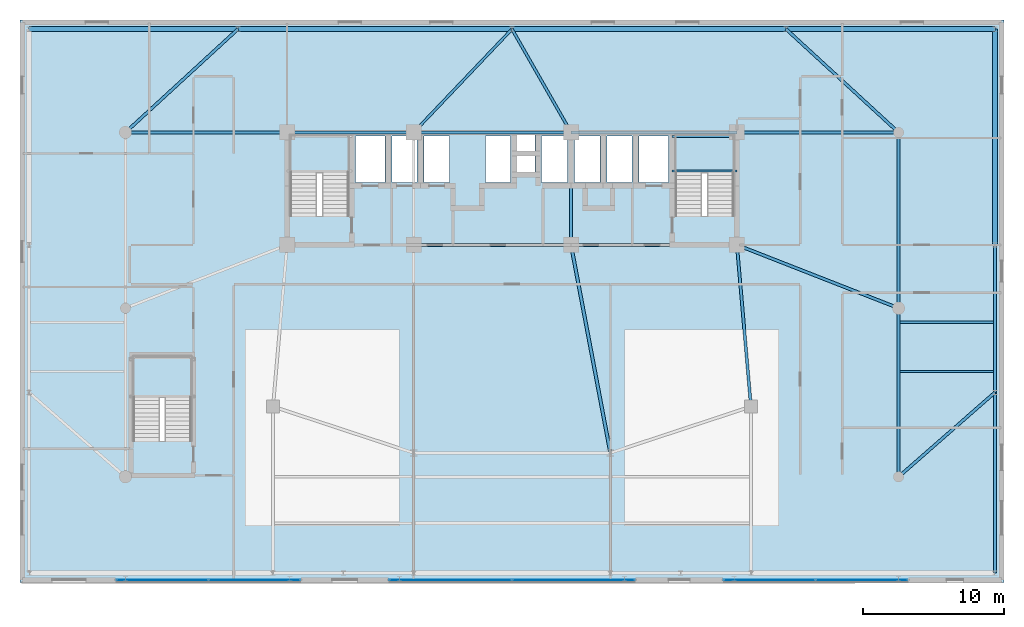
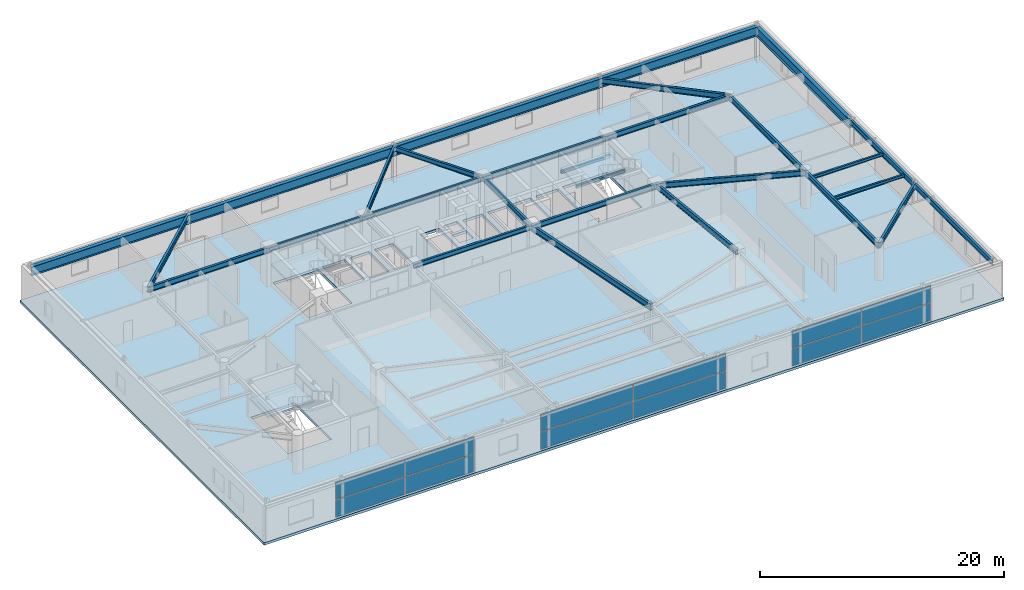
# One storey, part 19 of 26: 29 beams, 12 plates, 4 slabs, 9 elements without a shape of their own.
"""IFC4 building model written with IfcOpenShell, lengths in metres."""

from ifc_helpers import new_model, si_unit, direction, frame, origin, origin_2d, place, context, subcontext, project, spatial, polyline, rectangle, hollow_rectangle, i_section, outline, extrude, source, transform, mapped, material, layer, layer_set, material_profile, profile_set, type_object, element, aggregate, save


model = new_model("IFC4")

# Units and contexts
model_context = context("Model", 3, precision=1e-05, world=origin(), true_north=direction((0.0, 1.0)))
body_context = subcontext(model_context, "Body", "Model", "MODEL_VIEW")
ifc_project = project(units=[si_unit("LENGTHUNIT", "METRE"), si_unit("AREAUNIT", "SQUARE_METRE"), si_unit("VOLUMEUNIT", "CUBIC_METRE"), si_unit("PLANEANGLEUNIT", "RADIAN"), si_unit("MASSUNIT", "GRAM", prefix="KILO")], contexts=[model_context])

# Site, building, storey
site_placement = place(None, origin())
site = spatial("IfcSite", under=ifc_project, at=site_placement, CompositionType="ELEMENT")
building_placement = place(site_placement, origin())
building = spatial("IfcBuilding", under=site, at=building_placement, Name="Taldren Reach Tower", CompositionType="ELEMENT")
storey_placement = place(building_placement, frame((0.0, 0.0, 4.550048828125)))
storey = spatial("IfcBuildingStorey", under=building, at=storey_placement, Name="L01", CompositionType="ELEMENT", Elevation=4.550048828125)

# Beams
ifc_material_1 = material(Name="Steel Gr 350 (350PLUS)", Category="steel")
ifc_material_profile_1 = material_profile(ifc_material_1, i_section(OverallWidth=0.19091796875, OverallDepth=0.4599609375, WebThickness=0.010009765625, FlangeThickness=0.01611328125, at=origin_2d()), Name="460UB82.1")
ifc_profile_set_1 = profile_set([ifc_material_profile_1], Name="Steel Gr 350 (350PLUS)")
beam_type_1 = type_object("IfcBeamType", Name="BM-UB460A", PredefinedType="BEAM", material=ifc_profile_set_1)
shared_shape_1 = source(origin(), body_context, "Body", "SweptSolid", [
    extrude(i_section(OverallWidth=0.19091796875, OverallDepth=0.4599609375, WebThickness=0.010009765625, FlangeThickness=0.01611328125, at=origin_2d()), origin(), (0.0, 0.0, 1.0), 9.0),
])
beam_1_placement = place(storey_placement, frame((19.0, 32.0, 3.35986328125), z_axis=(1.0, 0.0, 0.0), x_axis=(0.0, 1.0, 0.0)))
element("IfcBeam", 1, at=beam_1_placement, inside=storey, type_object=beam_type_1, Name="Core-spine girder L01-SP04", PredefinedType="BEAM", context=body_context, shape_type="MappedRepresentation", body=[
    mapped(shared_shape_1, transform((0.0, 0.0, 0.0), scale=1.0)),
])
shared_shape_2 = source(origin(), body_context, "Body", "SweptSolid", [
    extrude(i_section(OverallWidth=0.19091796875, OverallDepth=0.4599609375, WebThickness=0.010009765625, FlangeThickness=0.01611328125, at=origin_2d()), origin(), (0.0, 0.0, 1.0), 11.199951171875),
])
for number, where, z_axis, x_axis, name in (
    (2, (28.0, 24.0, 3.35986328125), (1.0, 0.0, 0.0), (0.0, 1.0, 0.0), "Core-spine girder L01-SP02"),
    (3, (28.0, 32.0, 3.35986328125), (1.0, 0.0, 0.0), (0.0, 1.0, 0.0), "Core-spine girder L01-SP05"),
):
    element("IfcBeam", number, at=place(storey_placement, frame(where, z_axis=z_axis, x_axis=x_axis)), inside=storey, type_object=beam_type_1, Name=name, PredefinedType="BEAM", context=body_context, shape_type="MappedRepresentation", body=[
        mapped(shared_shape_2, transform((0.0, 0.0, 0.0), scale=1.0)),
    ])
ifc_material_profile_2 = material_profile(ifc_material_1, i_section(OverallWidth=0.208984375, OverallDepth=0.532958984375, WebThickness=0.01025390625, FlangeThickness=0.015625, at=origin_2d()), Name="530UB92.4")
ifc_profile_set_2 = profile_set([ifc_material_profile_2], Name="Steel Gr 350 (350PLUS)")
beam_type_2 = type_object("IfcBeamType", Name="BM-UB530A", PredefinedType="BEAM", material=ifc_profile_set_2)
shared_shape_3 = source(origin(), body_context, "Body", "SweptSolid", [
    extrude(i_section(OverallWidth=0.208984375, OverallDepth=0.532958984375, WebThickness=0.01025390625, FlangeThickness=0.015625, at=origin_2d()), origin(), (0.0, 0.0, 1.0), 11.800048828125),
])
for number, where, z_axis, x_axis, name in (
    (4, (39.199951171875, 24.0, 3.323486328125), (1.0, 0.0, 0.0), (0.0, 1.0, 0.0), "Core-spine girder L01-SP03"),
    (5, (39.199951171875, 32.0, 3.323486328125), (1.0, 0.0, 0.0), (0.0, 1.0, 0.0), "Core-spine girder L01-SP06"),
):
    element("IfcBeam", number, at=place(storey_placement, frame(where, z_axis=z_axis, x_axis=x_axis)), inside=storey, type_object=beam_type_2, Name=name, PredefinedType="BEAM", context=body_context, shape_type="MappedRepresentation", body=[
        mapped(shared_shape_3, transform((0.0, 0.0, 0.0), scale=1.0)),
    ])
shared_shape_4 = source(origin(), body_context, "Body", "SweptSolid", [
    extrude(i_section(OverallWidth=0.19091796875, OverallDepth=0.4599609375, WebThickness=0.010009765625, FlangeThickness=0.01611328125, at=origin_2d()), origin(), (0.0, 0.0, 1.0), 8.0),
])
beam_2_placement = place(storey_placement, frame((39.199951171875, 24.0, 3.35986328125), z_axis=(0.0, 1.0, 0.0), x_axis=(-1.0, 0.0, 0.0)))
element("IfcBeam", 6, at=beam_2_placement, inside=storey, type_object=beam_type_1, Name="Core-spine girder L01-SP08", PredefinedType="BEAM", context=body_context, shape_type="MappedRepresentation", body=[
    mapped(shared_shape_4, transform((0.0, 0.0, 0.0), scale=1.0)),
])
shared_shape_5 = source(origin(), body_context, "Body", "SweptSolid", [
    extrude(i_section(OverallWidth=0.208984375, OverallDepth=0.532958984375, WebThickness=0.01025390625, FlangeThickness=0.015625, at=origin_2d()), origin(), (0.0, 0.0, 1.0), 11.54345703125),
])
beam_3_placement = place(storey_placement, frame((52.0, 12.5, 3.323486328125), z_axis=(-0.086629616365, 0.996240588196, 0.0), x_axis=(-0.996240588196, -0.086629616365, 0.0)))
element("IfcBeam", 7, at=beam_3_placement, inside=storey, type_object=beam_type_2, Name="Core-spine girder L01-SP13", PredefinedType="BEAM", context=body_context, shape_type="MappedRepresentation", body=[
    mapped(shared_shape_5, transform((0.0, 0.0, 0.0), scale=1.0)),
])
ifc_material_profile_3 = material_profile(ifc_material_1, i_section(OverallWidth=0.22802734375, OverallDepth=0.60205078125, WebThickness=0.010498046875, FlangeThickness=0.014892578125, at=origin_2d()), Name="610UB101")
ifc_profile_set_3 = profile_set([ifc_material_profile_3], Name="Steel Gr 350 (350PLUS)")
beam_type_3 = type_object("IfcBeamType", Name="BM-UB610B", PredefinedType="BEAM", material=ifc_profile_set_3)
shared_shape_6 = source(origin(), body_context, "Body", "SweptSolid", [
    extrude(i_section(OverallWidth=0.22802734375, OverallDepth=0.60205078125, WebThickness=0.010498046875, FlangeThickness=0.014892578125, at=origin_2d()), origin(), (0.0, 0.0, 1.0), 15.0625),
])
beam_4_placement = place(storey_placement, frame((39.199951171875, 24.0, 3.2890625), z_axis=(0.185894205668, -0.982569765614, 0.0), x_axis=(0.982569765614, 0.185894205668, 0.0)))
element("IfcBeam", 8, at=beam_4_placement, inside=storey, type_object=beam_type_3, Name="Core-spine girder L01-SP15", PredefinedType="BEAM", context=body_context, shape_type="MappedRepresentation", body=[
    mapped(shared_shape_6, transform((0.0, 0.0, 0.0), scale=1.0)),
])
ifc_material_profile_4 = material_profile(ifc_material_1, i_section(OverallWidth=0.35009765625, OverallDepth=0.916015625, WebThickness=0.013916015625, FlangeThickness=0.028076171875, at=origin_2d()), Name="900WB257")
ifc_profile_set_4 = profile_set([ifc_material_profile_4], Name="Steel Gr 350 (350PLUS)")
beam_type_4 = type_object("IfcBeamType", Name="BM-WB900", PredefinedType="BEAM", material=ifc_profile_set_4)
shared_shape_7 = source(origin(), body_context, "Body", "SweptSolid", [
    extrude(i_section(OverallWidth=0.35009765625, OverallDepth=0.916015625, WebThickness=0.013916015625, FlangeThickness=0.028076171875, at=origin_2d()), origin(), (0.0, 0.0, 1.0), 14.85009765625),
])
for number, where, z_axis, x_axis, name in (
    (9, (0.64990234375, 39.35009765625, 3.1318359375), (1.0, 0.0, 0.0), (0.0, 1.0, 0.0), "Podium girder L01-PD08"),
    (10, (54.5, 39.35009765625, 3.1318359375), (1.0, 0.0, 0.0), (0.0, 1.0, 0.0), "Podium girder L01-PD11"),
):
    element("IfcBeam", number, at=place(storey_placement, frame(where, z_axis=z_axis, x_axis=x_axis)), inside=storey, type_object=beam_type_4, Name=name, PredefinedType="BEAM", context=body_context, shape_type="MappedRepresentation", body=[
        mapped(shared_shape_7, transform((0.0, 0.0, 0.0), scale=1.0)),
    ])
shared_shape_8 = source(origin(), body_context, "Body", "SweptSolid", [
    extrude(i_section(OverallWidth=0.35009765625, OverallDepth=0.916015625, WebThickness=0.013916015625, FlangeThickness=0.028076171875, at=origin_2d()), origin(), (0.0, 0.0, 1.0), 19.5),
])
for number, where, z_axis, x_axis, name in (
    (11, (15.5, 39.35009765625, 3.1318359375), (1.0, 0.0, 0.0), (0.0, 1.0, 0.0), "Podium girder L01-PD09"),
    (12, (35.0, 39.35009765625, 3.1318359375), (1.0, 0.0, 0.0), (0.0, 1.0, 0.0), "Podium girder L01-PD10"),
):
    element("IfcBeam", number, at=place(storey_placement, frame(where, z_axis=z_axis, x_axis=x_axis)), inside=storey, type_object=beam_type_4, Name=name, PredefinedType="BEAM", context=body_context, shape_type="MappedRepresentation", body=[
        mapped(shared_shape_8, transform((0.0, 0.0, 0.0), scale=1.0)),
    ])
ifc_material_profile_5 = material_profile(ifc_material_1, i_section(OverallWidth=0.208984375, OverallDepth=0.528076171875, WebThickness=0.009521484375, FlangeThickness=0.01318359375, at=origin_2d()), Name="530UB82.0")
ifc_profile_set_5 = profile_set([ifc_material_profile_5], Name="Steel Gr 350 (350PLUS)")
beam_type_5 = type_object("IfcBeamType", Name="SP-UB530B", PredefinedType="SPANDREL", material=ifc_profile_set_5)
shared_shape_9 = source(origin(), body_context, "Body", "SweptSolid", [
    extrude(i_section(OverallWidth=0.208984375, OverallDepth=0.528076171875, WebThickness=0.009521484375, FlangeThickness=0.01318359375, at=origin_2d()), origin(), (0.0, 0.0, 1.0), 12.85009765625),
])
beam_5_placement = place(storey_placement, frame((69.35009765625, 0.64990234375, 3.325927734375), z_axis=(0.0, 1.0, 0.0), x_axis=(-1.0, 0.0, 0.0)))
element("IfcBeam", 13, at=beam_5_placement, inside=storey, type_object=beam_type_5, Name="Podium beam L01-PD15", PredefinedType="SPANDREL", context=body_context, shape_type="MappedRepresentation", body=[
    mapped(shared_shape_9, transform((0.0, 0.0, 0.0), scale=1.0)),
])
shared_shape_10 = source(origin(), body_context, "Body", "SweptSolid", [
    extrude(i_section(OverallWidth=0.208984375, OverallDepth=0.528076171875, WebThickness=0.009521484375, FlangeThickness=0.01318359375, at=origin_2d()), origin(), (0.0, 0.0, 1.0), 10.5),
])
beam_6_placement = place(storey_placement, frame((69.35009765625, 13.5, 3.325927734375), z_axis=(0.0, 1.0, 0.0), x_axis=(-1.0, 0.0, 0.0)))
element("IfcBeam", 14, at=beam_6_placement, inside=storey, type_object=beam_type_5, Name="Podium beam L01-PD16", PredefinedType="SPANDREL", context=body_context, shape_type="MappedRepresentation", body=[
    mapped(shared_shape_10, transform((0.0, 0.0, 0.0), scale=1.0)),
])
shared_shape_11 = source(origin(), body_context, "Body", "SweptSolid", [
    extrude(i_section(OverallWidth=0.35009765625, OverallDepth=0.916015625, WebThickness=0.013916015625, FlangeThickness=0.028076171875, at=origin_2d()), origin(), (0.0, 0.0, 1.0), 15.35009765625),
])
beam_7_placement = place(storey_placement, frame((69.35009765625, 24.0, 3.1318359375), z_axis=(0.0, 1.0, 0.0), x_axis=(-1.0, 0.0, 0.0)))
element("IfcBeam", 15, at=beam_7_placement, inside=storey, type_object=beam_type_4, Name="Podium girder L01-PD17", PredefinedType="BEAM", context=body_context, shape_type="MappedRepresentation", body=[
    mapped(shared_shape_11, transform((0.0, 0.0, 0.0), scale=1.0)),
])
shared_shape_12 = source(origin(), body_context, "Body", "SweptSolid", [
    extrude(i_section(OverallWidth=0.208984375, OverallDepth=0.532958984375, WebThickness=0.01025390625, FlangeThickness=0.015625, at=origin_2d()), origin(), (0.0, 0.0, 1.0), 9.106201171875),
])
beam_8_placement = place(storey_placement, frame((69.35009765625, 13.5, 3.323486328125), z_axis=(-0.75224111342, -0.658887932262, 0.0), x_axis=(0.658887932262, -0.75224111342, 0.0)))
element("IfcBeam", 16, at=beam_8_placement, inside=storey, type_object=beam_type_2, Name="Podium beam L01-PD26", PredefinedType="BEAM", context=body_context, shape_type="MappedRepresentation", body=[
    mapped(shared_shape_12, transform((0.0, 0.0, 0.0), scale=1.0)),
])
shared_shape_13 = source(origin(), body_context, "Body", "SweptSolid", [
    extrude(i_section(OverallWidth=0.208984375, OverallDepth=0.532958984375, WebThickness=0.01025390625, FlangeThickness=0.015625, at=origin_2d()), origin(), (0.0, 0.0, 1.0), 12.0),
])
beam_9_placement = place(storey_placement, frame((62.5, 7.5, 3.323486328125), z_axis=(0.0, 1.0, 0.0), x_axis=(-1.0, 0.0, 0.0)))
element("IfcBeam", 17, at=beam_9_placement, inside=storey, type_object=beam_type_2, Name="Podium beam L01-PD27", PredefinedType="BEAM", context=body_context, shape_type="MappedRepresentation", body=[
    mapped(shared_shape_13, transform((0.0, 0.0, 0.0), scale=1.0)),
])
shared_shape_14 = source(origin(), body_context, "Body", "SweptSolid", [
    extrude(i_section(OverallWidth=0.208984375, OverallDepth=0.532958984375, WebThickness=0.01025390625, FlangeThickness=0.015625, at=origin_2d()), origin(), (0.0, 0.0, 1.0), 12.5),
])
beam_10_placement = place(storey_placement, frame((62.5, 19.5, 3.323486328125), z_axis=(0.0, 1.0, 0.0), x_axis=(-1.0, 0.0, 0.0)))
element("IfcBeam", 18, at=beam_10_placement, inside=storey, type_object=beam_type_2, Name="Podium beam L01-PD28", PredefinedType="BEAM", context=body_context, shape_type="MappedRepresentation", body=[
    mapped(shared_shape_14, transform((0.0, 0.0, 0.0), scale=1.0)),
])
shared_shape_15 = source(origin(), body_context, "Body", "SweptSolid", [
    extrude(i_section(OverallWidth=0.208984375, OverallDepth=0.532958984375, WebThickness=0.01025390625, FlangeThickness=0.015625, at=origin_2d()), origin(), (0.0, 0.0, 1.0), 10.86376953125),
])
for number, where, z_axis, x_axis, name in (
    (19, (7.5, 32.0, 3.323486328125), (0.736385012576, 0.676562719379, 0.0), (-0.676562719379, 0.736385012576, 0.0), "Podium beam L01-PD21"),
    (20, (62.5, 32.0, 3.323486328125), (-0.736385012576, 0.676562719379, 0.0), (-0.676562719379, -0.736385012576, 0.0), "Podium beam L01-PD29"),
):
    element("IfcBeam", number, at=place(storey_placement, frame(where, z_axis=z_axis, x_axis=x_axis)), inside=storey, type_object=beam_type_2, Name=name, PredefinedType="BEAM", context=body_context, shape_type="MappedRepresentation", body=[
        mapped(shared_shape_15, transform((0.0, 0.0, 0.0), scale=1.0)),
    ])
shared_shape_16 = source(origin(), body_context, "Body", "SweptSolid", [
    extrude(i_section(OverallWidth=0.208984375, OverallDepth=0.532958984375, WebThickness=0.01025390625, FlangeThickness=0.015625, at=origin_2d()), origin(), (0.0, 0.0, 1.0), 12.34912109375),
])
beam_11_placement = place(storey_placement, frame((51.0, 24.0, 3.323486328125), z_axis=(0.931242779706, -0.364399348581, 0.0), x_axis=(0.364399348581, 0.931242779706, 0.0)))
element("IfcBeam", 21, at=beam_11_placement, inside=storey, type_object=beam_type_2, Name="Podium beam L01-PD32", PredefinedType="BEAM", context=body_context, shape_type="MappedRepresentation", body=[
    mapped(shared_shape_16, transform((0.0, 0.0, 0.0), scale=1.0)),
])
shared_shape_17 = source(origin(), body_context, "Body", "SweptSolid", [
    extrude(i_section(OverallWidth=0.208984375, OverallDepth=0.532958984375, WebThickness=0.01025390625, FlangeThickness=0.015625, at=origin_2d()), origin(), (0.0, 0.0, 1.0), 11.5),
])
for number, where, z_axis, x_axis, name in (
    (22, (7.5, 32.0, 3.323486328125), (1.0, 0.0, 0.0), (0.0, 1.0, 0.0), "Podium beam L01-PD31"),
    (23, (51.0, 32.0, 3.323486328125), (1.0, 0.0, 0.0), (0.0, 1.0, 0.0), "Podium beam L01-PD33"),
):
    element("IfcBeam", number, at=place(storey_placement, frame(where, z_axis=z_axis, x_axis=x_axis)), inside=storey, type_object=beam_type_2, Name=name, PredefinedType="BEAM", context=body_context, shape_type="MappedRepresentation", body=[
        mapped(shared_shape_17, transform((0.0, 0.0, 0.0), scale=1.0)),
    ])
shared_shape_18 = source(origin(), body_context, "Body", "SweptSolid", [
    extrude(i_section(OverallWidth=0.19091796875, OverallDepth=0.4599609375, WebThickness=0.010009765625, FlangeThickness=0.01611328125, at=origin_2d()), origin(), (0.0, 0.0, 1.0), 10.150146484375),
])
beam_12_placement = place(storey_placement, frame((28.0, 32.0, 3.35986328125), z_axis=(0.6896503675, 0.724142507113, 0.0), x_axis=(-0.724142507113, 0.6896503675, 0.0)))
element("IfcBeam", 24, at=beam_12_placement, inside=storey, type_object=beam_type_1, Name="Podium beam L01-PD34", PredefinedType="BEAM", context=body_context, shape_type="MappedRepresentation", body=[
    mapped(shared_shape_18, transform((0.0, 0.0, 0.0), scale=1.0)),
])
shared_shape_19 = source(origin(), body_context, "Body", "SweptSolid", [
    extrude(i_section(OverallWidth=0.19091796875, OverallDepth=0.4599609375, WebThickness=0.010009765625, FlangeThickness=0.01611328125, at=origin_2d()), origin(), (0.0, 0.0, 1.0), 8.46533203125),
])
beam_13_placement = place(storey_placement, frame((39.199951171875, 32.0, 3.35986328125), z_axis=(-0.496129620882, 0.86824846633, 0.0), x_axis=(-0.86824846633, -0.496129620882, 0.0)))
element("IfcBeam", 25, at=beam_13_placement, inside=storey, type_object=beam_type_1, Name="Podium beam L01-PD35", PredefinedType="BEAM", context=body_context, shape_type="MappedRepresentation", body=[
    mapped(shared_shape_19, transform((0.0, 0.0, 0.0), scale=1.0)),
])
ifc_material_2 = material(Name="Steel Gr 300 (300PLUS, 300 MPa)", Category="steel")
ifc_material_profile_6 = material_profile(ifc_material_2, i_section(OverallWidth=0.166015625, OverallDepth=0.306884765625, WebThickness=0.006591796875, FlangeThickness=0.01171875, at=origin_2d()), Name="310UB46.2")
ifc_profile_set_6 = profile_set([ifc_material_profile_6], Name="Steel Gr 300 (300PLUS, 300 MPa)")
beam_type_6 = type_object("IfcBeamType", Name="JS-UB310", PredefinedType="JOIST", material=ifc_profile_set_6)
shared_shape_20 = source(origin(), body_context, "Body", "SweptSolid", [
    extrude(i_section(OverallWidth=0.166015625, OverallDepth=0.306884765625, WebThickness=0.006591796875, FlangeThickness=0.01171875, at=origin_2d()), origin(), (0.0, 0.0, 1.0), 6.64111328125),
])
for number, where, z_axis, x_axis, name in (
    (26, (62.6044921875, 15.0, 3.4365234375), (1.0, 0.0, 0.0), (0.0, 1.0, 0.0), "Podium wing floor joist L01-3.2"),
    (27, (62.6044921875, 18.5, 3.4365234375), (1.0, 0.0, 0.0), (0.0, 1.0, 0.0), "Podium wing floor joist L01-4.2"),
):
    element("IfcBeam", number, at=place(storey_placement, frame(where, z_axis=z_axis, x_axis=x_axis)), inside=storey, type_object=beam_type_6, Name=name, PredefinedType="JOIST", context=body_context, shape_type="MappedRepresentation", body=[
        mapped(shared_shape_20, transform((0.0, 0.0, 0.0), scale=1.0)),
    ])
ifc_material_3 = material(Name="Steel Gr 350 (C350L0)", Category="steel")
ifc_material_profile_7 = material_profile(ifc_material_3, hollow_rectangle(XDim=0.14990234375, YDim=0.25, WallThickness=0.009033203125, at=origin_2d()), Name="250x150x9.0RHS")
ifc_profile_set_7 = profile_set([ifc_material_profile_7], Name="Steel Gr 350 (C350L0)")
beam_type_7 = type_object("IfcBeamType", Name="LN-RHS250", PredefinedType="LINTEL", material=ifc_profile_set_7)
shared_shape_21 = source(origin(), body_context, "Body", "SweptSolid", [
    extrude(hollow_rectangle(XDim=0.14990234375, YDim=0.25, WallThickness=0.009033203125, at=origin_2d()), origin(), (0.0, 0.0, 1.0), 4.60009765625),
])
for number, where, z_axis, x_axis, name in (
    (28, (46.39990234375, 29.2548828125, 1.619873046875), (1.0, 0.0, 0.0), (0.0, 1.0, 0.0), "Stair half-landing support beam ST2-L01-1"),
    (29, (46.39990234375, 31.699951171875, 1.619873046875), (1.0, 0.0, 0.0), (0.0, 1.0, 0.0), "Stair half-landing support beam ST2-L01-2"),
):
    element("IfcBeam", number, at=place(storey_placement, frame(where, z_axis=z_axis, x_axis=x_axis)), inside=storey, type_object=beam_type_7, Name=name, PredefinedType="LINTEL", context=body_context, shape_type="MappedRepresentation", body=[
        mapped(shared_shape_21, transform((0.0, 0.0, 0.0), scale=1.0)),
    ])

# Slab
ifc_material_4 = material(Name="Concrete S50 (50 MPa)", Category="concrete")
ifc_layer_1 = layer(ifc_material_4, 0.260009765625)
ifc_layer_set_1 = layer_set([ifc_layer_1], Name="Concrete S50 (50 MPa)")
slab_type_1 = type_object("IfcSlabType", Name="SL-FLR-260", PredefinedType="FLOOR", material=ifc_layer_set_1)
slab_1_placement = place(storey_placement, frame((0.0, 0.0, -0.260009765625)))
element("IfcSlab", 30, at=slab_1_placement, inside=storey, type_object=slab_type_1, Name="Suspended floor slab L01", PredefinedType="FLOOR", context=body_context, shape_type="SweptSolid", body=[
    extrude(outline(polyline([(0.0, 0.0), (70.0, 0.0), (70.0, 40.0), (0.0, 40.0), (0.0, 0.0)]), holes=[polyline([(19.219970703125, 26.050048828125), (23.3798828125, 26.050048828125), (23.3798828125, 31.820068359375), (19.219970703125, 31.820068359375), (19.219970703125, 26.050048828125)]), polyline([(46.6201171875, 26.050048828125), (50.780029296875, 26.050048828125), (50.780029296875, 31.820068359375), (46.6201171875, 31.820068359375), (46.6201171875, 26.050048828125)]), polyline([(8.050048828125, 10.050048828125), (12.18994140625, 10.050048828125), (12.18994140625, 16.080078125), (8.050048828125, 16.080078125), (8.050048828125, 10.050048828125)]), polyline([(23.85009765625, 28.449951171875), (25.949951171875, 28.449951171875), (25.949951171875, 31.75), (23.85009765625, 31.75), (23.85009765625, 28.449951171875)]), polyline([(44.050048828125, 28.449951171875), (46.14990234375, 28.449951171875), (46.14990234375, 31.75), (44.050048828125, 31.75), (44.050048828125, 28.449951171875)]), polyline([(26.449951171875, 28.449951171875), (28.25, 28.449951171875), (28.25, 31.75), (26.449951171875, 31.75), (26.449951171875, 28.449951171875)]), polyline([(28.75, 28.449951171875), (30.550048828125, 28.449951171875), (30.550048828125, 31.75), (28.75, 31.75), (28.75, 28.449951171875)]), polyline([(33.10009765625, 28.449951171875), (34.89990234375, 28.449951171875), (34.89990234375, 31.75), (33.10009765625, 31.75), (33.10009765625, 28.449951171875)]), polyline([(37.10009765625, 28.449951171875), (38.949951171875, 28.449951171875), (38.949951171875, 31.75), (37.10009765625, 31.75), (37.10009765625, 28.449951171875)]), polyline([(39.449951171875, 28.449951171875), (41.25, 28.449951171875), (41.25, 31.75), (39.449951171875, 31.75), (39.449951171875, 28.449951171875)]), polyline([(41.75, 28.449951171875), (43.550048828125, 28.449951171875), (43.550048828125, 31.75), (41.75, 31.75), (41.75, 28.449951171875)]), polyline([(35.35009765625, 30.64990234375), (36.64990234375, 30.64990234375), (36.64990234375, 31.85009765625), (35.35009765625, 31.85009765625), (35.35009765625, 30.64990234375)]), polyline([(35.35009765625, 29.14990234375), (36.64990234375, 29.14990234375), (36.64990234375, 30.35009765625), (35.35009765625, 30.35009765625), (35.35009765625, 29.14990234375)])]), origin(), (0.0, 0.0, 1.0), 0.260009765625),
])

# Stair, slab
stair_type_1 = type_object("IfcStairType", Name="ST-HT-385W", PredefinedType="HALF_TURN_STAIR", material=ifc_material_4)
stair_1_placement = place(storey_placement, origin())
stair_1 = element("IfcStair", 31, at=stair_1_placement, inside=storey, type_object=stair_type_1, Name="Fire-isolated exit stair ST1 L01", PredefinedType="HALF_TURN_STAIR")
ifc_layer_2 = layer(ifc_material_4, 0.179931640625)
ifc_layer_set_2 = layer_set([ifc_layer_2], Name="Concrete S50 (50 MPa)")
slab_type_2 = type_object("IfcSlabType", Name="SL-LAND-180", PredefinedType="LANDING", material=ifc_layer_set_2)
slab_2_placement = place(storey_placement, frame((0.0, 0.0, 1.744873046875)))
slab_2 = element("IfcSlab", 32, at=slab_2_placement, type_object=slab_type_2, Name="ST1 landing 1", PredefinedType="LANDING", context=body_context, shape_type="SweptSolid", body=[
    extrude(outline(polyline([(19.0400390625, 29.135009765625), (23.56005859375, 29.135009765625), (23.56005859375, 31.8701171875), (19.0400390625, 31.8701171875), (19.0400390625, 29.135009765625)])), origin(), (0.0, 0.0, 1.0), 0.18017578125),
])
aggregate(stair_1, [slab_2])

stair_2_placement = place(storey_placement, origin())
stair_2 = element("IfcStair", 33, at=stair_2_placement, inside=storey, type_object=stair_type_1, Name="Fire-isolated exit stair ST2 L01", PredefinedType="HALF_TURN_STAIR")
slab_3_placement = place(storey_placement, frame((0.0, 0.0, 1.744873046875)))
slab_3 = element("IfcSlab", 34, at=slab_3_placement, type_object=slab_type_2, Name="ST2 landing 1", PredefinedType="LANDING", context=body_context, shape_type="SweptSolid", body=[
    extrude(outline(polyline([(46.43994140625, 29.135009765625), (50.9599609375, 29.135009765625), (50.9599609375, 31.8701171875), (46.43994140625, 31.8701171875), (46.43994140625, 29.135009765625)])), origin(), (0.0, 0.0, 1.0), 0.18017578125),
])
aggregate(stair_2, [slab_3])

stair_type_2 = type_object("IfcStairType", Name="ST-HT-POD", PredefinedType="HALF_TURN_STAIR", material=ifc_material_4)
stair_3_placement = place(storey_placement, origin())
stair_3 = element("IfcStair", 35, at=stair_3_placement, inside=storey, type_object=stair_type_2, Name="Fire-isolated exit stair ST3 L01", PredefinedType="HALF_TURN_STAIR")
slab_4_placement = place(storey_placement, frame((0.0, 0.0, 1.744873046875)))
slab_4 = element("IfcSlab", 36, at=slab_4_placement, type_object=slab_type_2, Name="ST3 landing 1", PredefinedType="LANDING", context=body_context, shape_type="SweptSolid", body=[
    extrude(outline(polyline([(7.93994140625, 13.135009765625), (12.300048828125, 13.135009765625), (12.300048828125, 16.1298828125), (7.93994140625, 16.1298828125), (7.93994140625, 13.135009765625)])), origin(), (0.0, 0.0, 1.0), 0.18017578125),
])
aggregate(stair_3, [slab_4])

# Curtain wall, plates
ifc_material_5 = material(Name="Aluminium and Low-E Glass Unitised System", Category="aluminium")
ifc_layer_3 = layer(ifc_material_5, 0.159912109375)
ifc_layer_set_3 = layer_set([ifc_layer_3], Name="Aluminium and Low-E Glass Unitised System")
curtain_wall_type = type_object("IfcCurtainWallType", Name="CW-SYS-1", PredefinedType="NOTDEFINED", material=ifc_layer_set_3)
curtain_wall_1_placement = place(storey_placement, origin())
curtain_wall_1 = element("IfcCurtainWall", 37, at=curtain_wall_1_placement, inside=storey, type_object=curtain_wall_type, Name="Unitised curtain wall CW1-L01-S1", PredefinedType="NOTDEFINED")
ifc_material_6 = material(Name="Low-E Double Glazed IGU", Category="glass")
ifc_layer_4 = layer(ifc_material_6, 0.028076171875)
ifc_layer_set_4 = layer_set([ifc_layer_4], Name="Low-E Double Glazed IGU")
plate_type = type_object("IfcPlateType", Name="CW-PNL-IGU28", PredefinedType="CURTAIN_PANEL", material=ifc_layer_set_4)
shared_shape_22 = source(origin(), body_context, "Body", "SweptSolid", [
    extrude(rectangle(XDim=6.4951171875, YDim=0.028076171875, at=origin_2d()), origin(), (0.0, 0.0, 1.0), 1.675048828125),
])
plate_1_placement = place(storey_placement, frame((10.117431640625, 0.169921875, 0.06005859375), z_axis=(0.0, 0.0, 1.0), x_axis=(1.0, 0.0, 0.0)))
plate_1 = element("IfcPlate", 38, at=plate_1_placement, type_object=plate_type, Name="CW-1 panel 1.1", PredefinedType="CURTAIN_PANEL", context=body_context, shape_type="MappedRepresentation", body=[
    mapped(shared_shape_22, transform((0.0, 0.0, 0.0), scale=1.0)),
])
plate_2_placement = place(storey_placement, frame((16.6826171875, 0.169921875, 0.06005859375), z_axis=(0.0, 0.0, 1.0), x_axis=(1.0, 0.0, 0.0)))
plate_2 = element("IfcPlate", 39, at=plate_2_placement, type_object=plate_type, Name="CW-1 panel 2.1", PredefinedType="CURTAIN_PANEL", context=body_context, shape_type="MappedRepresentation", body=[
    mapped(shared_shape_22, transform((0.0, 0.0, 0.0), scale=1.0)),
])
aggregate(curtain_wall_1, [plate_1, plate_2])

curtain_wall_2_placement = place(storey_placement, origin())
curtain_wall_2 = element("IfcCurtainWall", 40, at=curtain_wall_2_placement, inside=storey, type_object=curtain_wall_type, Name="Unitised curtain wall CW1-L01-S1-T2", PredefinedType="NOTDEFINED")
plate_3_placement = place(storey_placement, frame((10.117431640625, 0.169921875, 1.85498046875), z_axis=(0.0, 0.0, 1.0), x_axis=(1.0, 0.0, 0.0)))
plate_3 = element("IfcPlate", 41, at=plate_3_placement, type_object=plate_type, Name="CW-1 panel 1.1", PredefinedType="CURTAIN_PANEL", context=body_context, shape_type="MappedRepresentation", body=[
    mapped(shared_shape_22, transform((0.0, 0.0, 0.0), scale=1.0)),
])
plate_4_placement = place(storey_placement, frame((16.6826171875, 0.169921875, 1.85498046875), z_axis=(0.0, 0.0, 1.0), x_axis=(1.0, 0.0, 0.0)))
plate_4 = element("IfcPlate", 42, at=plate_4_placement, type_object=plate_type, Name="CW-1 panel 2.1", PredefinedType="CURTAIN_PANEL", context=body_context, shape_type="MappedRepresentation", body=[
    mapped(shared_shape_22, transform((0.0, 0.0, 0.0), scale=1.0)),
])
aggregate(curtain_wall_2, [plate_3, plate_4])

curtain_wall_3_placement = place(storey_placement, origin())
curtain_wall_3 = element("IfcCurtainWall", 43, at=curtain_wall_3_placement, inside=storey, type_object=curtain_wall_type, Name="Unitised curtain wall CW1-L01-S3", PredefinedType="NOTDEFINED")
plate_5_placement = place(storey_placement, frame((53.3173828125, 0.169921875, 0.06005859375), z_axis=(0.0, 0.0, 1.0), x_axis=(1.0, 0.0, 0.0)))
plate_5 = element("IfcPlate", 44, at=plate_5_placement, type_object=plate_type, Name="CW-1 panel 1.1", PredefinedType="CURTAIN_PANEL", context=body_context, shape_type="MappedRepresentation", body=[
    mapped(shared_shape_22, transform((0.0, 0.0, 0.0), scale=1.0)),
])
plate_6_placement = place(storey_placement, frame((59.882568359375, 0.169921875, 0.06005859375), z_axis=(0.0, 0.0, 1.0), x_axis=(1.0, 0.0, 0.0)))
plate_6 = element("IfcPlate", 45, at=plate_6_placement, type_object=plate_type, Name="CW-1 panel 2.1", PredefinedType="CURTAIN_PANEL", context=body_context, shape_type="MappedRepresentation", body=[
    mapped(shared_shape_22, transform((0.0, 0.0, 0.0), scale=1.0)),
])
aggregate(curtain_wall_3, [plate_5, plate_6])

curtain_wall_4_placement = place(storey_placement, origin())
curtain_wall_4 = element("IfcCurtainWall", 46, at=curtain_wall_4_placement, inside=storey, type_object=curtain_wall_type, Name="Unitised curtain wall CW1-L01-S3-T2", PredefinedType="NOTDEFINED")
plate_7_placement = place(storey_placement, frame((53.3173828125, 0.169921875, 1.85498046875), z_axis=(0.0, 0.0, 1.0), x_axis=(1.0, 0.0, 0.0)))
plate_7 = element("IfcPlate", 47, at=plate_7_placement, type_object=plate_type, Name="CW-1 panel 1.1", PredefinedType="CURTAIN_PANEL", context=body_context, shape_type="MappedRepresentation", body=[
    mapped(shared_shape_22, transform((0.0, 0.0, 0.0), scale=1.0)),
])
plate_8_placement = place(storey_placement, frame((59.882568359375, 0.169921875, 1.85498046875), z_axis=(0.0, 0.0, 1.0), x_axis=(1.0, 0.0, 0.0)))
plate_8 = element("IfcPlate", 48, at=plate_8_placement, type_object=plate_type, Name="CW-1 panel 2.1", PredefinedType="CURTAIN_PANEL", context=body_context, shape_type="MappedRepresentation", body=[
    mapped(shared_shape_22, transform((0.0, 0.0, 0.0), scale=1.0)),
])
aggregate(curtain_wall_4, [plate_7, plate_8])

curtain_wall_5_placement = place(storey_placement, origin())
curtain_wall_5 = element("IfcCurtainWall", 49, at=curtain_wall_5_placement, inside=storey, type_object=curtain_wall_type, Name="Unitised curtain wall CW1-L01-S2", PredefinedType="NOTDEFINED")
shared_shape_23 = source(origin(), body_context, "Body", "SweptSolid", [
    extrude(rectangle(XDim=8.695068359375, YDim=0.028076171875, at=origin_2d()), origin(), (0.0, 0.0, 1.0), 1.675048828125),
])
plate_9_placement = place(storey_placement, frame((30.617431640625, 0.169921875, 0.06005859375), z_axis=(0.0, 0.0, 1.0), x_axis=(1.0, 0.0, 0.0)))
plate_9 = element("IfcPlate", 50, at=plate_9_placement, type_object=plate_type, Name="CW-1 panel 1.1", PredefinedType="CURTAIN_PANEL", context=body_context, shape_type="MappedRepresentation", body=[
    mapped(shared_shape_23, transform((0.0, 0.0, 0.0), scale=1.0)),
])
plate_10_placement = place(storey_placement, frame((39.382568359375, 0.169921875, 0.06005859375), z_axis=(0.0, 0.0, 1.0), x_axis=(1.0, 0.0, 0.0)))
plate_10 = element("IfcPlate", 51, at=plate_10_placement, type_object=plate_type, Name="CW-1 panel 2.1", PredefinedType="CURTAIN_PANEL", context=body_context, shape_type="MappedRepresentation", body=[
    mapped(shared_shape_23, transform((0.0, 0.0, 0.0), scale=1.0)),
])
aggregate(curtain_wall_5, [plate_9, plate_10])

curtain_wall_6_placement = place(storey_placement, origin())
curtain_wall_6 = element("IfcCurtainWall", 52, at=curtain_wall_6_placement, inside=storey, type_object=curtain_wall_type, Name="Unitised curtain wall CW1-L01-S2-T2", PredefinedType="NOTDEFINED")
plate_11_placement = place(storey_placement, frame((30.617431640625, 0.169921875, 1.85498046875), z_axis=(0.0, 0.0, 1.0), x_axis=(1.0, 0.0, 0.0)))
plate_11 = element("IfcPlate", 53, at=plate_11_placement, type_object=plate_type, Name="CW-1 panel 1.1", PredefinedType="CURTAIN_PANEL", context=body_context, shape_type="MappedRepresentation", body=[
    mapped(shared_shape_23, transform((0.0, 0.0, 0.0), scale=1.0)),
])
plate_12_placement = place(storey_placement, frame((39.382568359375, 0.169921875, 1.85498046875), z_axis=(0.0, 0.0, 1.0), x_axis=(1.0, 0.0, 0.0)))
plate_12 = element("IfcPlate", 54, at=plate_12_placement, type_object=plate_type, Name="CW-1 panel 2.1", PredefinedType="CURTAIN_PANEL", context=body_context, shape_type="MappedRepresentation", body=[
    mapped(shared_shape_23, transform((0.0, 0.0, 0.0), scale=1.0)),
])
aggregate(curtain_wall_6, [plate_11, plate_12])

save(model, "model.ifc")
